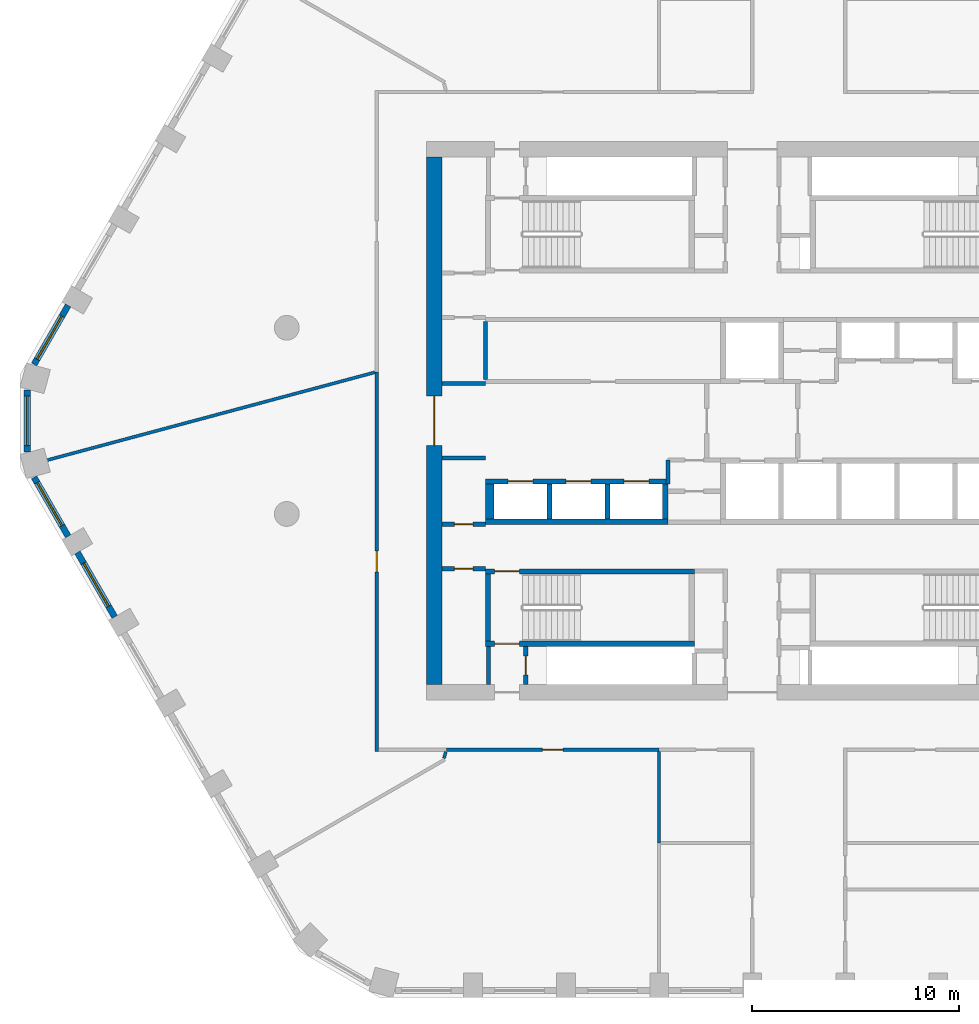
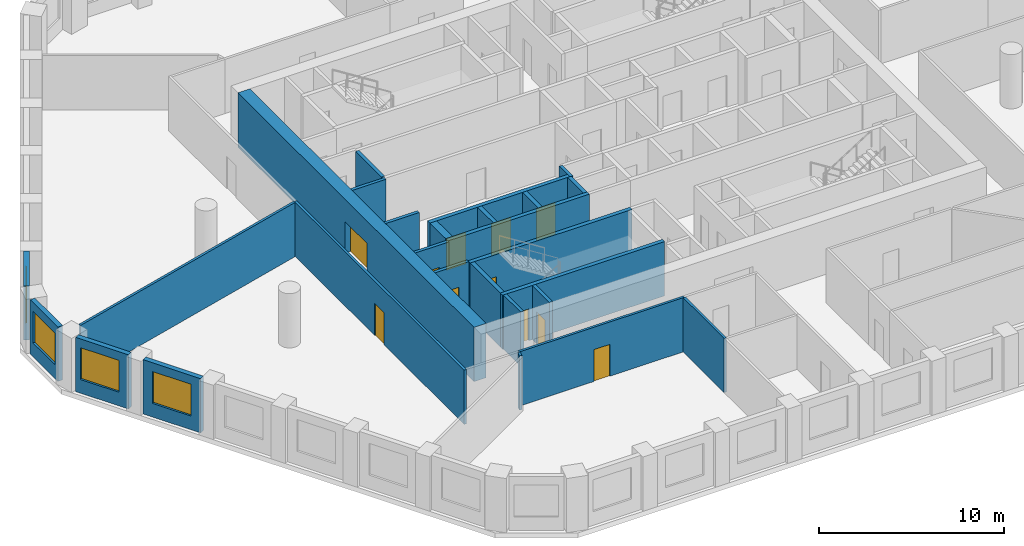
# One storey, part 2 of 9: 27 walls, 11 doors, 4 windows, 15 openings.
"""IFC4 building model written with IfcOpenShell, lengths in metres."""

from ifc_helpers import new_model, si_unit, direction, frame, frame_2d, origin, place, context, subcontext, project, spatial, polyline, rectangle, outline, extrude, material, layer, layer_set, type_object, element, fill, save


model = new_model("IFC4")

# Units and contexts
model_context = context("Model", 3, precision=1e-05, world=origin(), true_north=direction((0.0, 1.0)))
body_context = subcontext(model_context, "Body", "Model", "MODEL_VIEW")
ifc_project = project(units=[si_unit("LENGTHUNIT", "METRE"), si_unit("AREAUNIT", "SQUARE_METRE"), si_unit("VOLUMEUNIT", "CUBIC_METRE"), si_unit("PLANEANGLEUNIT", "RADIAN"), si_unit("MASSUNIT", "GRAM", prefix="KILO")], contexts=[model_context])

# Site, building, storey
site_placement = place(None, origin())
site = spatial("IfcSite", under=ifc_project, at=site_placement, CompositionType="ELEMENT")
building_placement = place(site_placement, origin())
building = spatial("IfcBuilding", under=site, at=building_placement, Name="Dhurran Vertical Campus", CompositionType="ELEMENT")
storey_placement = place(building_placement, frame((0.0, 0.0, 171.60009765625)))
storey = spatial("IfcBuildingStorey", under=building, at=storey_placement, Name="L42", CompositionType="ELEMENT", Elevation=171.60009765625)

# Wall, opening, window
ifc_material_1 = material(Name="Precast concrete C50/60", Category="concrete")
ifc_layer_1 = layer(ifc_material_1, 0.300048828125)
ifc_layer_set_1 = layer_set([ifc_layer_1], Name="Precast concrete C50/60")
wall_type_1 = type_object("IfcWallType", Name="Precast spandrel wall 300", PredefinedType="SOLIDWALL", material=ifc_layer_set_1)
wall_1_placement = place(storey_placement, frame((-33.0693359375, 5.58203125, 0.0), z_axis=(0.0, 0.0, 1.0), x_axis=(-0.499981217486, -0.866036247602, 0.0)))
wall_1 = element("IfcWall", 1, at=wall_1_placement, inside=storey, type_object=wall_type_1, Name="EW1 L42.37", PredefinedType="SOLIDWALL", context=body_context, shape_type="SweptSolid", body=[
    extrude(rectangle(XDim=3.294189453125, YDim=0.300048828125, at=frame_2d((1.64697265625, 0.0))), origin(), (0.0, 0.0, 1.0), 3.574951171875),
])
opening_1_placement = place(wall_1_placement, frame((0.599609375, 0.0, 0.89990234375)))
opening_1 = element("IfcOpeningElement", 2, at=opening_1_placement, cuts=wall_1, Name="Opening WT1", PredefinedType="OPENING", context=body_context, shape_type="SweptSolid", body=[
    extrude(rectangle(XDim=2.39990234375, YDim=2.10009765625, at=frame_2d((1.199951171875, 1.050048828125))), frame((0.0, 0.159912109375, 0.0), z_axis=(0.0, -1.0, 0.0), x_axis=(1.0, 0.0, 0.0)), (0.0, 0.0, 1.0), 0.320068359375),
])
ifc_material_2 = material(Name="Aluminium frame with solar-control glass", Category="aluminium")
window_type = type_object("IfcWindowType", Name="Punched window 2400 x 2100", PartitioningType="SINGLE_PANEL", PredefinedType="WINDOW", material=ifc_material_2)
window_1_placement = place(opening_1_placement, origin())
window_1 = element("IfcWindow", 3, at=window_1_placement, inside=storey, type_object=window_type, Name="WT1 L42.37", OverallHeight=2.10009765625, OverallWidth=2.39990234375, PartitioningType="SINGLE_PANEL", PredefinedType="WINDOW", context=body_context, shape_type="SweptSolid", body=[
    extrude(rectangle(XDim=2.39990234375, YDim=2.10009765625, at=frame_2d((1.199951171875, 1.050048828125))), frame((0.0, 0.030029296875, 0.0), z_axis=(0.0, -1.0, 0.0), x_axis=(1.0, 0.0, 0.0)), (0.0, 0.0, 1.0), 0.06005859375),
])
fill(opening_1, window_1)

wall_2_placement = place(storey_placement, frame((-35.047119140625, 1.49462890625, 0.0), z_axis=(0.0, 0.0, 1.0), x_axis=(0.0, -1.0, 0.0)))
wall_2 = element("IfcWall", 4, at=wall_2_placement, inside=storey, type_object=wall_type_1, Name="EW1 L42.38", PredefinedType="SOLIDWALL", context=body_context, shape_type="SweptSolid", body=[
    extrude(rectangle(XDim=2.9892578125, YDim=0.300048828125, at=frame_2d((1.49462890625, 0.0))), origin(), (0.0, 0.0, 1.0), 3.574951171875),
])
opening_2_placement = place(wall_2_placement, frame((0.294677734375, 0.0, 0.89990234375)))
opening_2 = element("IfcOpeningElement", 5, at=opening_2_placement, cuts=wall_2, Name="Opening WT1", PredefinedType="OPENING", context=body_context, shape_type="SweptSolid", body=[
    extrude(rectangle(XDim=2.39990234375, YDim=2.10009765625, at=frame_2d((1.199951171875, 1.050048828125))), frame((0.0, 0.159912109375, 0.0), z_axis=(0.0, -1.0, 0.0), x_axis=(1.0, 0.0, 0.0)), (0.0, 0.0, 1.0), 0.320068359375),
])
window_2_placement = place(opening_2_placement, origin())
window_2 = element("IfcWindow", 6, at=window_2_placement, inside=storey, type_object=window_type, Name="WT1 L42.38", OverallHeight=2.10009765625, OverallWidth=2.39990234375, PartitioningType="SINGLE_PANEL", PredefinedType="WINDOW", context=body_context, shape_type="SweptSolid", body=[
    extrude(rectangle(XDim=2.39990234375, YDim=2.10009765625, at=frame_2d((1.199951171875, 1.050048828125))), frame((0.0, 0.030029296875, 0.0), z_axis=(0.0, -1.0, 0.0), x_axis=(1.0, 0.0, 0.0)), (0.0, 0.0, 1.0), 0.06005859375),
])
fill(opening_2, window_2)

wall_3_placement = place(storey_placement, frame((-34.71630859375, -2.729248046875, 0.0), z_axis=(0.0, 0.0, 1.0), x_axis=(0.499981217486, -0.866036247602, 0.0)))
wall_3 = element("IfcWall", 7, at=wall_3_placement, inside=storey, type_object=wall_type_1, Name="EW1 L42.39", PredefinedType="SOLIDWALL", context=body_context, shape_type="SweptSolid", body=[
    extrude(rectangle(XDim=3.294189453125, YDim=0.300048828125, at=frame_2d((1.64697265625, 0.0))), origin(), (0.0, 0.0, 1.0), 3.574951171875),
])
opening_3_placement = place(wall_3_placement, frame((0.294677734375, 0.0, 0.89990234375)))
opening_3 = element("IfcOpeningElement", 8, at=opening_3_placement, cuts=wall_3, Name="Opening WT1", PredefinedType="OPENING", context=body_context, shape_type="SweptSolid", body=[
    extrude(rectangle(XDim=2.39990234375, YDim=2.10009765625, at=frame_2d((1.199951171875, 1.050048828125))), frame((0.0, 0.159912109375, 0.0), z_axis=(0.0, -1.0, 0.0), x_axis=(1.0, 0.0, 0.0)), (0.0, 0.0, 1.0), 0.320068359375),
])
window_3_placement = place(opening_3_placement, origin())
window_3 = element("IfcWindow", 9, at=window_3_placement, inside=storey, type_object=window_type, Name="WT1 L42.39", OverallHeight=2.10009765625, OverallWidth=2.39990234375, PartitioningType="SINGLE_PANEL", PredefinedType="WINDOW", context=body_context, shape_type="SweptSolid", body=[
    extrude(rectangle(XDim=2.39990234375, YDim=2.10009765625, at=frame_2d((1.199951171875, 1.050048828125))), frame((0.0, 0.030029296875, 0.0), z_axis=(0.0, -1.0, 0.0), x_axis=(1.0, 0.0, 0.0)), (0.0, 0.0, 1.0), 0.06005859375),
])
fill(opening_3, window_3)

wall_4_placement = place(storey_placement, frame((-32.618896484375, -6.3623046875, 0.0), z_axis=(0.0, 0.0, 1.0), x_axis=(0.500027802648, -0.866009351323, 0.0)))
wall_4 = element("IfcWall", 10, at=wall_4_placement, inside=storey, type_object=wall_type_1, Name="EW1 L42.40", PredefinedType="SOLIDWALL", context=body_context, shape_type="SweptSolid", body=[
    extrude(rectangle(XDim=3.598876953125, YDim=0.300048828125, at=frame_2d((1.79931640625, 0.0))), origin(), (0.0, 0.0, 1.0), 3.574951171875),
])
opening_4_placement = place(wall_4_placement, frame((0.599609375, 0.0, 0.89990234375)))
opening_4 = element("IfcOpeningElement", 11, at=opening_4_placement, cuts=wall_4, Name="Opening WT1", PredefinedType="OPENING", context=body_context, shape_type="SweptSolid", body=[
    extrude(rectangle(XDim=2.39990234375, YDim=2.10009765625, at=frame_2d((1.199951171875, 1.050048828125))), frame((0.0, 0.159912109375, 0.0), z_axis=(0.0, -1.0, 0.0), x_axis=(1.0, 0.0, 0.0)), (0.0, 0.0, 1.0), 0.320068359375),
])
window_4_placement = place(opening_4_placement, origin())
window_4 = element("IfcWindow", 12, at=window_4_placement, inside=storey, type_object=window_type, Name="WT1 L42.40", OverallHeight=2.10009765625, OverallWidth=2.39990234375, PartitioningType="SINGLE_PANEL", PredefinedType="WINDOW", context=body_context, shape_type="SweptSolid", body=[
    extrude(rectangle(XDim=2.39990234375, YDim=2.10009765625, at=frame_2d((1.199951171875, 1.050048828125))), frame((0.0, 0.030029296875, 0.0), z_axis=(0.0, -1.0, 0.0), x_axis=(1.0, 0.0, 0.0)), (0.0, 0.0, 1.0), 0.06005859375),
])
fill(opening_4, window_4)

# Wall, opening, door
ifc_material_3 = material(Name="Concrete C60/75", Category="concrete")
ifc_layer_2 = layer(ifc_material_3, 0.75)
ifc_layer_set_2 = layer_set([ifc_layer_2], Name="Concrete C60/75")
wall_type_2 = type_object("IfcWallType", Name="co-CORE-WALL-C1-750", PredefinedType="SHEAR", material=ifc_layer_set_2)
wall_5_placement = place(storey_placement, frame((-15.375, -12.75, 0.0), z_axis=(0.0, 0.0, 1.0), x_axis=(0.0, 1.0, 0.0)))
wall_5 = element("IfcWall", 13, at=wall_5_placement, inside=storey, type_object=wall_type_2, Name="Core wall W L42", PredefinedType="SHEAR", context=body_context, shape_type="SweptSolid", body=[
    extrude(rectangle(XDim=25.5, YDim=0.75, at=frame_2d((12.75, 0.0))), origin(), (0.0, 0.0, 1.0), 3.574951171875),
])
opening_5_placement = place(wall_5_placement, frame((11.550048828125, 0.0, 0.0)))
opening_5 = element("IfcOpeningElement", 14, at=opening_5_placement, cuts=wall_5, Name="Opening CL1", PredefinedType="OPENING", context=body_context, shape_type="SweptSolid", body=[
    extrude(rectangle(XDim=2.39990234375, YDim=2.10009765625, at=frame_2d((1.199951171875, 1.050048828125))), frame((0.0, 0.385009765625, 0.0), z_axis=(0.0, -1.0, 0.0), x_axis=(1.0, 0.0, 0.0)), (0.0, 0.0, 1.0), 0.77001953125),
])
ifc_material_4 = material(Name="Fire-rated glazed door set")
door_type_1 = type_object("IfcDoorType", Name="co-D-LOBBY 2400x2100", OperationType="DOUBLE_DOOR_DOUBLE_SWING", PredefinedType="DOOR", material=ifc_material_4)
door_1_placement = place(opening_5_placement, origin())
door_1 = element("IfcDoor", 15, at=door_1_placement, inside=storey, type_object=door_type_1, Name="Lift lobby door W L42", OperationType="DOUBLE_DOOR_DOUBLE_SWING", OverallHeight=2.10009765625, OverallWidth=2.39990234375, PredefinedType="DOOR", context=body_context, shape_type="SweptSolid", body=[
    extrude(rectangle(XDim=2.39990234375, YDim=2.10009765625, at=frame_2d((1.199951171875, 1.050048828125))), frame((0.0, 0.02490234375, 0.0), z_axis=(0.0, -1.0, 0.0), x_axis=(1.0, 0.0, 0.0)), (0.0, 0.0, 1.0), 0.050048828125),
])
fill(opening_5, door_1)

# Wall
ifc_material_5 = material(Name="Fire-rated masonry blockwork", Category="masonry")
ifc_layer_3 = layer(ifc_material_5, 0.199951171875)
ifc_layer_set_3 = layer_set([ifc_layer_3], Name="Fire-rated masonry blockwork")
wall_type_3 = type_object("IfcWallType", Name="co-FIRE-PARTITION-200", PredefinedType="PARTITIONING", material=ifc_layer_set_3)
wall_6_placement = place(storey_placement, frame((-12.75, -12.75, 0.0), z_axis=(0.0, 0.0, 1.0), x_axis=(0.0, 1.0, 0.0)))
element("IfcWall", 16, at=wall_6_placement, inside=storey, type_object=wall_type_3, Name="Core partition pass-ST3-o L42", PredefinedType="PARTITIONING", context=body_context, shape_type="SweptSolid", body=[
    extrude(rectangle(XDim=1.85009765625, YDim=0.199951171875, at=frame_2d((0.925048828125, 0.0))), origin(), (0.0, 0.0, 1.0), 3.574951171875),
])

# Wall, opening, door
wall_7_placement = place(storey_placement, frame((-10.949951171875, -12.75, 0.0), z_axis=(0.0, 0.0, 1.0), x_axis=(0.0, 1.0, 0.0)))
wall_7 = element("IfcWall", 17, at=wall_7_placement, inside=storey, type_object=wall_type_3, Name="Core partition pass-ST3-i L42", PredefinedType="PARTITIONING", context=body_context, shape_type="SweptSolid", body=[
    extrude(rectangle(XDim=1.85009765625, YDim=0.199951171875, at=frame_2d((0.925048828125, 0.0))), origin(), (0.0, 0.0, 1.0), 3.574951171875),
])
opening_6_placement = place(wall_7_placement, frame((0.47509765625, 0.0, 0.0)))
opening_6 = element("IfcOpeningElement", 18, at=opening_6_placement, cuts=wall_7, Name="Opening T12-C12", PredefinedType="OPENING", context=body_context, shape_type="SweptSolid", body=[
    extrude(rectangle(XDim=0.89990234375, YDim=2.10009765625, at=frame_2d((0.449951171875, 1.050048828125))), frame((0.0, 0.10986328125, 0.0), z_axis=(0.0, -1.0, 0.0), x_axis=(1.0, 0.0, 0.0)), (0.0, 0.0, 1.0), 0.219970703125),
])
ifc_material_6 = material(Name="Fire-rated timber door set", Category="wood")
door_type_2 = type_object("IfcDoorType", Name="co-D-ROOM 900x2100", OperationType="SINGLE_SWING_LEFT", PredefinedType="DOOR", material=ifc_material_6)
door_2_placement = place(opening_6_placement, origin())
door_2 = element("IfcDoor", 19, at=door_2_placement, inside=storey, type_object=door_type_2, Name="Riser room door L42", OperationType="SINGLE_SWING_LEFT", OverallHeight=2.10009765625, OverallWidth=0.89990234375, PredefinedType="DOOR", context=body_context, shape_type="SweptSolid", body=[
    extrude(rectangle(XDim=0.89990234375, YDim=2.10009765625, at=frame_2d((0.449951171875, 1.050048828125))), frame((0.0, 0.02490234375, 0.0), z_axis=(0.0, -1.0, 0.0), x_axis=(1.0, 0.0, 0.0)), (0.0, 0.0, 1.0), 0.050048828125),
])
fill(opening_6, door_2)

# Wall
wall_8_placement = place(storey_placement, frame((-15.0, 1.800048828125, 0.0), z_axis=(0.0, 0.0, 1.0), x_axis=(1.0, 0.0, 0.0)))
element("IfcWall", 20, at=wall_8_placement, inside=storey, type_object=wall_type_3, Name="Core partition es-NW-l L42", PredefinedType="PARTITIONING", context=body_context, shape_type="SweptSolid", body=[
    extrude(rectangle(XDim=2.10009765625, YDim=0.199951171875, at=frame_2d((1.050048828125, 0.0))), origin(), (0.0, 0.0, 1.0), 3.574951171875),
])

# Wall, opening, door
wall_9_placement = place(storey_placement, frame((-15.0, -7.14990234375, 0.0), z_axis=(0.0, 0.0, 1.0), x_axis=(1.0, 0.0, 0.0)))
wall_9 = element("IfcWall", 21, at=wall_9_placement, inside=storey, type_object=wall_type_3, Name="Core partition en-SW-w L42", PredefinedType="PARTITIONING", context=body_context, shape_type="SweptSolid", body=[
    extrude(rectangle(XDim=2.10009765625, YDim=0.199951171875, at=frame_2d((1.050048828125, 0.0))), origin(), (0.0, 0.0, 1.0), 3.574951171875),
])
opening_7_placement = place(wall_9_placement, frame((0.60009765625, 0.0, 0.0)))
opening_7 = element("IfcOpeningElement", 22, at=opening_7_placement, cuts=wall_9, Name="Opening T12-C18", PredefinedType="OPENING", context=body_context, shape_type="SweptSolid", body=[
    extrude(rectangle(XDim=0.89990234375, YDim=2.10009765625, at=frame_2d((0.449951171875, 1.050048828125))), frame((0.0, 0.10986328125, 0.0), z_axis=(0.0, -1.0, 0.0), x_axis=(1.0, 0.0, 0.0)), (0.0, 0.0, 1.0), 0.219970703125),
])
door_3_placement = place(opening_7_placement, origin())
door_3 = element("IfcDoor", 23, at=door_3_placement, inside=storey, type_object=door_type_2, Name="Waste room door L42", OperationType="SINGLE_SWING_LEFT", OverallHeight=2.10009765625, OverallWidth=0.89990234375, PredefinedType="DOOR", context=body_context, shape_type="SweptSolid", body=[
    extrude(rectangle(XDim=0.89990234375, YDim=2.10009765625, at=frame_2d((0.449951171875, 1.050048828125))), frame((0.0, 0.02490234375, 0.0), z_axis=(0.0, -1.0, 0.0), x_axis=(1.0, 0.0, 0.0)), (0.0, 0.0, 1.0), 0.050048828125),
])
fill(opening_7, door_3)

wall_10_placement = place(storey_placement, frame((-15.0, -5.0, 0.0), z_axis=(0.0, 0.0, 1.0), x_axis=(1.0, 0.0, 0.0)))
wall_10 = element("IfcWall", 24, at=wall_10_placement, inside=storey, type_object=wall_type_3, Name="Core partition es-SW-w L42", PredefinedType="PARTITIONING", context=body_context, shape_type="SweptSolid", body=[
    extrude(rectangle(XDim=2.10009765625, YDim=0.199951171875, at=frame_2d((1.050048828125, 0.0))), origin(), (0.0, 0.0, 1.0), 3.574951171875),
])
opening_8_placement = place(wall_10_placement, frame((0.60009765625, 0.0, 0.0)))
opening_8 = element("IfcOpeningElement", 25, at=opening_8_placement, cuts=wall_10, Name="Opening T12-C19", PredefinedType="OPENING", context=body_context, shape_type="SweptSolid", body=[
    extrude(rectangle(XDim=0.89990234375, YDim=2.10009765625, at=frame_2d((0.449951171875, 1.050048828125))), frame((0.0, 0.10986328125, 0.0), z_axis=(0.0, -1.0, 0.0), x_axis=(1.0, 0.0, 0.0)), (0.0, 0.0, 1.0), 0.219970703125),
])
door_4_placement = place(opening_8_placement, origin())
door_4 = element("IfcDoor", 26, at=door_4_placement, inside=storey, type_object=door_type_2, Name="Print room door L42", OperationType="SINGLE_SWING_LEFT", OverallHeight=2.10009765625, OverallWidth=0.89990234375, PredefinedType="DOOR", context=body_context, shape_type="SweptSolid", body=[
    extrude(rectangle(XDim=0.89990234375, YDim=2.10009765625, at=frame_2d((0.449951171875, 1.050048828125))), frame((0.0, 0.02490234375, 0.0), z_axis=(0.0, -1.0, 0.0), x_axis=(1.0, 0.0, 0.0)), (0.0, 0.0, 1.0), 0.050048828125),
])
fill(opening_8, door_4)

# Walls
wall_11_placement = place(storey_placement, frame((-15.0, -1.800048828125, 0.0), z_axis=(0.0, 0.0, 1.0), x_axis=(1.0, 0.0, 0.0)))
element("IfcWall", 27, at=wall_11_placement, inside=storey, type_object=wall_type_3, Name="Core partition es-SW-l L42", PredefinedType="PARTITIONING", context=body_context, shape_type="SweptSolid", body=[
    extrude(rectangle(XDim=2.10009765625, YDim=0.199951171875, at=frame_2d((1.050048828125, 0.0))), origin(), (0.0, 0.0, 1.0), 3.574951171875),
])
wall_12_placement = place(storey_placement, frame((-12.89990234375, 2.0, 0.0), z_axis=(0.0, 0.0, 1.0), x_axis=(0.0, 1.0, 0.0)))
element("IfcWall", 28, at=wall_12_placement, inside=storey, type_object=wall_type_3, Name="Core partition fr-N0-e0 L42", PredefinedType="PARTITIONING", context=body_context, shape_type="SweptSolid", body=[
    extrude(rectangle(XDim=2.800048828125, YDim=0.199951171875, at=frame_2d((1.39990234375, 0.0))), origin(), (0.0, 0.0, 1.0), 3.574951171875),
])
wall_13_placement = place(storey_placement, frame((-4.074951171875, -1.89990234375, 0.0), z_axis=(0.0, 0.0, 1.0), x_axis=(0.0, -1.0, 0.0)))
element("IfcWall", 29, at=wall_13_placement, inside=storey, type_object=wall_type_3, Name="Core partition fr-S0-n0 L42", PredefinedType="PARTITIONING", context=body_context, shape_type="SweptSolid", body=[
    extrude(rectangle(XDim=1.150146484375, YDim=0.199951171875, at=frame_2d((0.5751953125, 0.0))), origin(), (0.0, 0.0, 1.0), 3.574951171875),
])

# Wall, openings, doors
ifc_material_7 = material(Name="Concrete C50/60", Category="concrete")
ifc_layer_4 = layer(ifc_material_7, 0.25)
ifc_layer_set_4 = layer_set([ifc_layer_4], Name="Concrete C50/60")
wall_type_4 = type_object("IfcWallType", Name="co-SHAFT-FRONT-250", PredefinedType="SHEAR", material=ifc_layer_set_4)
wall_14_placement = place(storey_placement, frame((-12.89990234375, -2.925048828125, 0.0), z_axis=(0.0, 0.0, 1.0), x_axis=(1.0, 0.0, 0.0)))
wall_14 = element("IfcWall", 30, at=wall_14_placement, inside=storey, type_object=wall_type_4, Name="Lift landing wall S L42", PredefinedType="SHEAR", context=body_context, shape_type="SweptSolid", body=[
    extrude(rectangle(XDim=8.824951171875, YDim=0.25, at=frame_2d((4.41259765625, 0.0))), origin(), (0.0, 0.0, 1.0), 3.574951171875),
])
opening_9_placement = place(wall_14_placement, frame((1.10009765625, 0.0, 0.0)))
opening_9 = element("IfcOpeningElement", 31, at=opening_9_placement, cuts=wall_14, Name="Opening LD", PredefinedType="OPENING", context=body_context, shape_type="SweptSolid", body=[
    extrude(rectangle(XDim=1.199951171875, YDim=2.10009765625, at=frame_2d((0.60009765625, 1.050048828125))), frame((0.0, 0.135009765625, 0.0), z_axis=(0.0, -1.0, 0.0), x_axis=(1.0, 0.0, 0.0)), (0.0, 0.0, 1.0), 0.27001953125),
])
opening_10_placement = place(wall_14_placement, frame((3.89990234375, 0.0, 0.0)))
opening_10 = element("IfcOpeningElement", 32, at=opening_10_placement, cuts=wall_14, Name="Opening LD", PredefinedType="OPENING", context=body_context, shape_type="SweptSolid", body=[
    extrude(rectangle(XDim=1.199951171875, YDim=2.10009765625, at=frame_2d((0.60009765625, 1.050048828125))), frame((0.0, 0.135009765625, 0.0), z_axis=(0.0, -1.0, 0.0), x_axis=(1.0, 0.0, 0.0)), (0.0, 0.0, 1.0), 0.27001953125),
])
opening_11_placement = place(wall_14_placement, frame((6.699951171875, 0.0, 0.0)))
opening_11 = element("IfcOpeningElement", 33, at=opening_11_placement, cuts=wall_14, Name="Opening LD", PredefinedType="OPENING", context=body_context, shape_type="SweptSolid", body=[
    extrude(rectangle(XDim=1.199951171875, YDim=2.10009765625, at=frame_2d((0.60009765625, 1.050048828125))), frame((0.0, 0.135009765625, 0.0), z_axis=(0.0, -1.0, 0.0), x_axis=(1.0, 0.0, 0.0)), (0.0, 0.0, 1.0), 0.27001953125),
])
ifc_material_8 = material(Name="Stainless steel landing door", Category="steel")
door_type_3 = type_object("IfcDoorType", Name="co-D-LANDING 1200x2100", OperationType="DOUBLE_DOOR_SLIDING", PredefinedType="DOOR", material=ifc_material_8)
door_5_placement = place(opening_9_placement, origin())
door_5 = element("IfcDoor", 34, at=door_5_placement, inside=storey, type_object=door_type_3, Name="Landing door MR3 L42", OperationType="DOUBLE_DOOR_SLIDING", OverallHeight=2.10009765625, OverallWidth=1.199951171875, PredefinedType="DOOR", context=body_context, shape_type="SweptSolid", body=[
    extrude(rectangle(XDim=1.199951171875, YDim=2.10009765625, at=frame_2d((0.60009765625, 1.050048828125))), frame((0.0, 0.02490234375, 0.0), z_axis=(0.0, -1.0, 0.0), x_axis=(1.0, 0.0, 0.0)), (0.0, 0.0, 1.0), 0.050048828125),
])
fill(opening_9, door_5)
door_6_placement = place(opening_10_placement, origin())
door_6 = element("IfcDoor", 35, at=door_6_placement, inside=storey, type_object=door_type_3, Name="Landing door MR4 L42", OperationType="DOUBLE_DOOR_SLIDING", OverallHeight=2.10009765625, OverallWidth=1.199951171875, PredefinedType="DOOR", context=body_context, shape_type="SweptSolid", body=[
    extrude(rectangle(XDim=1.199951171875, YDim=2.10009765625, at=frame_2d((0.60009765625, 1.050048828125))), frame((0.0, 0.02490234375, 0.0), z_axis=(0.0, -1.0, 0.0), x_axis=(1.0, 0.0, 0.0)), (0.0, 0.0, 1.0), 0.050048828125),
])
fill(opening_10, door_6)
door_7_placement = place(opening_11_placement, origin())
door_7 = element("IfcDoor", 36, at=door_7_placement, inside=storey, type_object=door_type_3, Name="Landing door MR5 L42", OperationType="DOUBLE_DOOR_SLIDING", OverallHeight=2.10009765625, OverallWidth=1.199951171875, PredefinedType="DOOR", context=body_context, shape_type="SweptSolid", body=[
    extrude(rectangle(XDim=1.199951171875, YDim=2.10009765625, at=frame_2d((0.60009765625, 1.050048828125))), frame((0.0, 0.02490234375, 0.0), z_axis=(0.0, -1.0, 0.0), x_axis=(1.0, 0.0, 0.0)), (0.0, 0.0, 1.0), 0.050048828125),
])
fill(opening_11, door_7)

# Walls
ifc_material_9 = material(Name="Concrete C50/60", Category="concrete")
ifc_layer_5 = layer(ifc_material_9, 0.25)
ifc_layer_set_5 = layer_set([ifc_layer_5], Name="Concrete C50/60")
wall_type_5 = type_object("IfcWallType", Name="co-SHAFT-MASS-250", PredefinedType="SHEAR", material=ifc_layer_set_5)
wall_15_placement = place(storey_placement, origin())
element("IfcWall", 37, at=wall_15_placement, inside=storey, type_object=wall_type_5, Name="Lift shaft wall S L42 1", PredefinedType="SHEAR", context=body_context, shape_type="SweptSolid", body=[
    extrude(outline(polyline([(-12.89990234375, -5.0), (-4.074951171875, -5.0), (-4.074951171875, -4.75), (-12.89990234375, -4.75), (-12.89990234375, -5.0)])), origin(), (0.0, 0.0, 1.0), 3.574951171875),
])
wall_16_placement = place(storey_placement, origin())
element("IfcWall", 38, at=wall_16_placement, inside=storey, type_object=wall_type_5, Name="Lift shaft wall S L42 3", PredefinedType="SHEAR", context=body_context, shape_type="SweptSolid", body=[
    extrude(outline(polyline([(-12.89990234375, -4.75), (-12.47509765625, -4.75), (-12.47509765625, -3.050048828125), (-12.89990234375, -3.050048828125), (-12.89990234375, -4.75)])), origin(), (0.0, 0.0, 1.0), 3.574951171875),
])
wall_17_placement = place(storey_placement, origin())
element("IfcWall", 39, at=wall_17_placement, inside=storey, type_object=wall_type_5, Name="Lift shaft wall S L42 4", PredefinedType="SHEAR", context=body_context, shape_type="SweptSolid", body=[
    extrude(outline(polyline([(-9.925048828125, -4.75), (-9.675048828125, -4.75), (-9.675048828125, -3.050048828125), (-9.925048828125, -3.050048828125), (-9.925048828125, -4.75)])), origin(), (0.0, 0.0, 1.0), 3.574951171875),
])
wall_18_placement = place(storey_placement, origin())
element("IfcWall", 40, at=wall_18_placement, inside=storey, type_object=wall_type_5, Name="Lift shaft wall S L42 5", PredefinedType="SHEAR", context=body_context, shape_type="SweptSolid", body=[
    extrude(outline(polyline([(-7.125, -4.75), (-6.875, -4.75), (-6.875, -3.050048828125), (-7.125, -3.050048828125), (-7.125, -4.75)])), origin(), (0.0, 0.0, 1.0), 3.574951171875),
])
wall_19_placement = place(storey_placement, origin())
element("IfcWall", 41, at=wall_19_placement, inside=storey, type_object=wall_type_5, Name="Lift shaft wall S L42 6", PredefinedType="SHEAR", context=body_context, shape_type="SweptSolid", body=[
    extrude(outline(polyline([(-4.324951171875, -4.75), (-4.074951171875, -4.75), (-4.074951171875, -3.050048828125), (-4.324951171875, -3.050048828125), (-4.324951171875, -4.75)])), origin(), (0.0, 0.0, 1.0), 3.574951171875),
])

# Wall, opening, door
ifc_material_10 = material(Name="Concrete C40/50", Category="concrete")
ifc_layer_6 = layer(ifc_material_10, 0.25)
ifc_layer_set_6 = layer_set([ifc_layer_6], Name="Concrete C40/50")
wall_type_6 = type_object("IfcWallType", Name="co-STAIR-WALL-250", PredefinedType="SHEAR", material=ifc_layer_set_6)
wall_20_placement = place(storey_placement, frame((-12.89990234375, -10.77490234375, 0.0), z_axis=(0.0, 0.0, 1.0), x_axis=(1.0, 0.0, 0.0)))
wall_20 = element("IfcWall", 42, at=wall_20_placement, inside=storey, type_object=wall_type_6, Name="Stair ST3 enclosure wall L42", PredefinedType="SHEAR", context=body_context, shape_type="SweptSolid", body=[
    extrude(rectangle(XDim=10.099853515625, YDim=0.25, at=frame_2d((5.0498046875, 0.0))), origin(), (0.0, 0.0, 1.0), 3.574951171875),
])
opening_12_placement = place(wall_20_placement, frame((0.449951171875, 0.0, 0.0)))
opening_12 = element("IfcOpeningElement", 43, at=opening_12_placement, cuts=wall_20, Name="Opening XS3", PredefinedType="OPENING", context=body_context, shape_type="SweptSolid", body=[
    extrude(rectangle(XDim=1.199951171875, YDim=2.10009765625, at=frame_2d((0.60009765625, 1.050048828125))), frame((0.0, 0.135009765625, 0.0), z_axis=(0.0, -1.0, 0.0), x_axis=(1.0, 0.0, 0.0)), (0.0, 0.0, 1.0), 0.27001953125),
])
ifc_material_11 = material(Name="Fire-rated steel door set", Category="steel")
door_type_4 = type_object("IfcDoorType", Name="co-D-STAIR-EXIT 1200x2100", OperationType="SINGLE_SWING_RIGHT", PredefinedType="DOOR", material=ifc_material_11)
door_8_placement = place(opening_12_placement, origin())
door_8 = element("IfcDoor", 44, at=door_8_placement, inside=storey, type_object=door_type_4, Name="Stair ST3 discharge door L42", OperationType="SINGLE_SWING_RIGHT", OverallHeight=2.10009765625, OverallWidth=1.199951171875, PredefinedType="DOOR", context=body_context, shape_type="SweptSolid", body=[
    extrude(rectangle(XDim=1.199951171875, YDim=2.10009765625, at=frame_2d((0.60009765625, 1.050048828125))), frame((0.0, 0.02490234375, 0.0), z_axis=(0.0, -1.0, 0.0), x_axis=(1.0, 0.0, 0.0)), (0.0, 0.0, 1.0), 0.050048828125),
])
fill(opening_12, door_8)

wall_21_placement = place(storey_placement, frame((-12.89990234375, -7.27490234375, 0.0), z_axis=(0.0, 0.0, 1.0), x_axis=(1.0, 0.0, 0.0)))
wall_21 = element("IfcWall", 45, at=wall_21_placement, inside=storey, type_object=wall_type_6, Name="Stair ST3 enclosure wall L42", PredefinedType="SHEAR", context=body_context, shape_type="SweptSolid", body=[
    extrude(rectangle(XDim=10.099853515625, YDim=0.25, at=frame_2d((5.0498046875, 0.0))), origin(), (0.0, 0.0, 1.0), 3.574951171875),
])
opening_13_placement = place(wall_21_placement, frame((0.449951171875, 0.0, 0.0)))
opening_13 = element("IfcOpeningElement", 46, at=opening_13_placement, cuts=wall_21, Name="Opening SD3", PredefinedType="OPENING", context=body_context, shape_type="SweptSolid", body=[
    extrude(rectangle(XDim=1.199951171875, YDim=2.10009765625, at=frame_2d((0.60009765625, 1.050048828125))), frame((0.0, 0.135009765625, 0.0), z_axis=(0.0, -1.0, 0.0), x_axis=(1.0, 0.0, 0.0)), (0.0, 0.0, 1.0), 0.27001953125),
])
ifc_material_12 = material(Name="Fire-rated steel door set", Category="steel")
door_type_5 = type_object("IfcDoorType", Name="co-D-STAIR 1200x2100", OperationType="SINGLE_SWING_LEFT", PredefinedType="DOOR", material=ifc_material_12)
door_9_placement = place(opening_13_placement, origin())
door_9 = element("IfcDoor", 47, at=door_9_placement, inside=storey, type_object=door_type_5, Name="Stair ST3 door L42", OperationType="SINGLE_SWING_LEFT", OverallHeight=2.10009765625, OverallWidth=1.199951171875, PredefinedType="DOOR", context=body_context, shape_type="SweptSolid", body=[
    extrude(rectangle(XDim=1.199951171875, YDim=2.10009765625, at=frame_2d((0.60009765625, 1.050048828125))), frame((0.0, 0.02490234375, 0.0), z_axis=(0.0, -1.0, 0.0), x_axis=(1.0, 0.0, 0.0)), (0.0, 0.0, 1.0), 0.050048828125),
])
fill(opening_13, door_9)

# Wall
wall_22_placement = place(storey_placement, frame((-12.77490234375, -10.64990234375, 0.0), z_axis=(0.0, 0.0, 1.0), x_axis=(0.0, 1.0, 0.0)))
element("IfcWall", 48, at=wall_22_placement, inside=storey, type_object=wall_type_6, Name="Stair ST3 enclosure wall L42", PredefinedType="SHEAR", context=body_context, shape_type="SweptSolid", body=[
    extrude(rectangle(XDim=3.25, YDim=0.25, at=frame_2d((1.625, 0.0))), origin(), (0.0, 0.0, 1.0), 3.574951171875),
])

# Wall, opening, door
ifc_material_13 = material(Name="Gypsum board corridor wall on steel studs", Category="steel")
ifc_layer_7 = layer(ifc_material_13, 0.14990234375)
ifc_layer_set_7 = layer_set([ifc_layer_7], Name="Gypsum board corridor wall on steel studs")
wall_type_7 = type_object("IfcWallType", Name="fl-CW-150 corridor wall", PredefinedType="PARTITIONING", material=ifc_layer_set_7)
wall_23_placement = place(storey_placement, frame((-18.14990234375, 2.37109375, 0.0), z_axis=(0.0, 0.0, 1.0), x_axis=(0.0, -1.0, 0.0)))
wall_23 = element("IfcWall", 49, at=wall_23_placement, inside=storey, type_object=wall_type_7, Name="Partition 42-04", PredefinedType="PARTITIONING", context=body_context, shape_type="SweptSolid", body=[
    extrude(rectangle(XDim=18.34619140625, YDim=0.14990234375, at=frame_2d((9.173095703125, 0.0))), origin(), (0.0, 0.0, 1.0), 3.574951171875),
])
opening_14_placement = place(wall_23_placement, frame((8.673095703125, 0.0, 0.0)))
opening_14 = element("IfcOpeningElement", 50, at=opening_14_placement, cuts=wall_23, Name="Opening T12.02", PredefinedType="OPENING", context=body_context, shape_type="SweptSolid", body=[
    extrude(rectangle(XDim=1.0, YDim=2.10009765625, at=frame_2d((0.5, 1.050048828125))), frame((0.0, 0.0849609375, 0.0), z_axis=(0.0, -1.0, 0.0), x_axis=(1.0, 0.0, 0.0)), (0.0, 0.0, 1.0), 0.169921875),
])
ifc_material_14 = material(Name="Solid-core timber door set, fire-rated", Category="wood")
door_type_6 = type_object("IfcDoorType", Name="fl-D-1000x2100", OperationType="SINGLE_SWING_LEFT", PredefinedType="DOOR", material=ifc_material_14)
door_10_placement = place(opening_14_placement, origin())
door_10 = element("IfcDoor", 51, at=door_10_placement, inside=storey, type_object=door_type_6, Name="Door 42.02", OperationType="SINGLE_SWING_RIGHT", OverallHeight=2.10009765625, OverallWidth=1.0, PredefinedType="DOOR", context=body_context, shape_type="SweptSolid", body=[
    extrude(rectangle(XDim=1.0, YDim=2.10009765625, at=frame_2d((0.5, 1.050048828125))), frame((0.0, 0.02490234375, 0.0), z_axis=(0.0, -1.0, 0.0), x_axis=(1.0, 0.0, 0.0)), (0.0, 0.0, 1.0), 0.050048828125),
])
fill(opening_14, door_10)

wall_24_placement = place(storey_placement, frame((-14.7890625, -15.89990234375, 0.0), z_axis=(0.0, 0.0, 1.0), x_axis=(1.0, 0.0, 0.0)))
wall_24 = element("IfcWall", 52, at=wall_24_placement, inside=storey, type_object=wall_type_7, Name="Partition 42-10", PredefinedType="PARTITIONING", context=body_context, shape_type="SweptSolid", body=[
    extrude(rectangle(XDim=10.2890625, YDim=0.14990234375, at=frame_2d((5.14453125, 0.0))), origin(), (0.0, 0.0, 1.0), 3.574951171875),
])
opening_15_placement = place(wall_24_placement, frame((4.64453125, 0.0, 0.0)))
opening_15 = element("IfcOpeningElement", 53, at=opening_15_placement, cuts=wall_24, Name="Opening T12.03", PredefinedType="OPENING", context=body_context, shape_type="SweptSolid", body=[
    extrude(rectangle(XDim=1.0, YDim=2.10009765625, at=frame_2d((0.5, 1.050048828125))), frame((0.0, 0.0849609375, 0.0), z_axis=(0.0, -1.0, 0.0), x_axis=(1.0, 0.0, 0.0)), (0.0, 0.0, 1.0), 0.169921875),
])
door_11_placement = place(opening_15_placement, origin())
door_11 = element("IfcDoor", 54, at=door_11_placement, inside=storey, type_object=door_type_6, Name="Door 42.03", OperationType="SINGLE_SWING_RIGHT", OverallHeight=2.10009765625, OverallWidth=1.0, PredefinedType="DOOR", context=body_context, shape_type="SweptSolid", body=[
    extrude(rectangle(XDim=1.0, YDim=2.10009765625, at=frame_2d((0.5, 1.050048828125))), frame((0.0, 0.02490234375, 0.0), z_axis=(0.0, -1.0, 0.0), x_axis=(1.0, 0.0, 0.0)), (0.0, 0.0, 1.0), 0.050048828125),
])
fill(opening_15, door_11)

# Walls
ifc_material_15 = material(Name="Gypsum board partition on steel studs", Category="steel")
ifc_layer_8 = layer(ifc_material_15, 0.14990234375)
ifc_layer_set_8 = layer_set([ifc_layer_8], Name="Gypsum board partition on steel studs")
wall_type_8 = type_object("IfcWallType", Name="fl-PW-150 fixed partition", PredefinedType="PARTITIONING", material=ifc_layer_set_8)
wall_25_placement = place(storey_placement, frame((-18.24169921875, 2.346435546875, 0.0), z_axis=(0.0, 0.0, 1.0), x_axis=(-0.965923767179, -0.258826729682, 0.0)))
element("IfcWall", 55, at=wall_25_placement, inside=storey, type_object=wall_type_8, Name="Partition 42-01", PredefinedType="PARTITIONING", context=body_context, shape_type="SweptSolid", body=[
    extrude(rectangle(XDim=16.379638671875, YDim=0.14990234375, at=frame_2d((8.18994140625, 0.0))), origin(), (0.0, 0.0, 1.0), 3.574951171875),
])
wall_26_placement = place(storey_placement, frame((-14.813720703125, -15.99169921875, 0.0), z_axis=(0.0, 0.0, 1.0), x_axis=(-0.257478443243, -0.966284042746, 0.0)))
element("IfcWall", 56, at=wall_26_placement, inside=storey, type_object=wall_type_8, Name="Partition 42-08", PredefinedType="PARTITIONING", context=body_context, shape_type="SweptSolid", body=[
    extrude(rectangle(XDim=0.330078125, YDim=0.14990234375, at=frame_2d((0.1650390625, 0.0))), origin(), (0.0, 0.0, 1.0), 3.574951171875),
])
wall_27_placement = place(storey_placement, frame((-4.5, -15.97509765625, 0.0), z_axis=(0.0, 0.0, 1.0), x_axis=(0.0, -1.0, 0.0)))
element("IfcWall", 57, at=wall_27_placement, inside=storey, type_object=wall_type_8, Name="Partition 42-13", PredefinedType="PARTITIONING", context=body_context, shape_type="SweptSolid", body=[
    extrude(rectangle(XDim=4.4248046875, YDim=0.14990234375, at=frame_2d((2.21240234375, 0.0))), origin(), (0.0, 0.0, 1.0), 3.574951171875),
])

save(model, "model.ifc")
